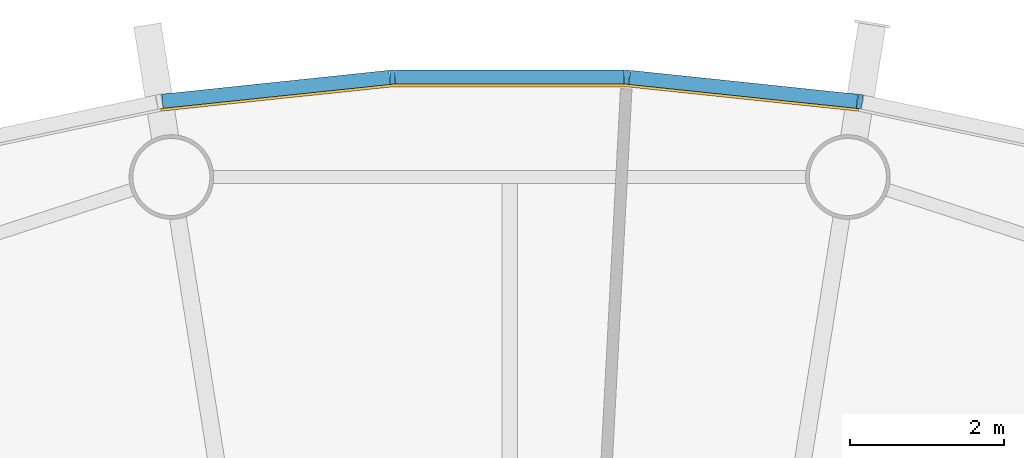
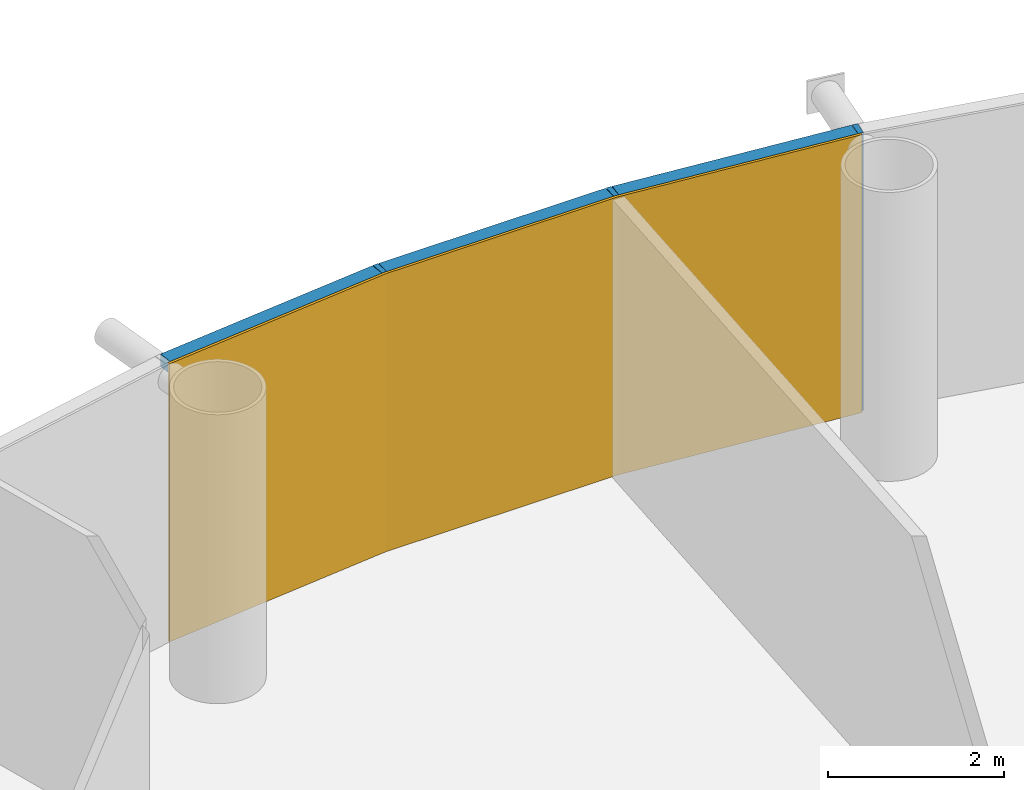
# One storey, part 15 of 17: 6 members, 1 curtain wall.
"""IFC4 building model written with IfcOpenShell, lengths in metres."""

from ifc_helpers import new_model, si_unit, direction, frame, origin, origin_2d, place, context, subcontext, project, spatial, polyline, rectangle, outline, extrude, material, layer, layer_set, material_profile, profile_set, type_object, element, aggregate, save


model = new_model("IFC4")

# Units and contexts
model_context = context("Model", 3, precision=1e-05, world=origin(), true_north=direction((0.0, 1.0)))
body_context = subcontext(model_context, "Body", "Model", "MODEL_VIEW")
ifc_project = project(units=[si_unit("LENGTHUNIT", "METRE"), si_unit("AREAUNIT", "SQUARE_METRE"), si_unit("VOLUMEUNIT", "CUBIC_METRE"), si_unit("PLANEANGLEUNIT", "RADIAN"), si_unit("MASSUNIT", "GRAM", prefix="KILO")], contexts=[model_context])

# Member
ifc_material_1 = material(Name="Anodised aluminium", Category="aluminium")
ifc_material_profile_1 = material_profile(ifc_material_1, rectangle(XDim=0.06494140625, YDim=0.18505859375, at=origin_2d()), Name="Mullion 65 x 185 mm anodised aluminium")
ifc_profile_set_1 = profile_set([ifc_material_profile_1], Name="Anodised aluminium")
member_type_1 = type_object("IfcMemberType", Name="Mullion 65 x 185 mm anodised aluminium", PredefinedType="MULLION", material=ifc_profile_set_1)
site_placement = place(None, origin())
building_placement = place(site_placement, origin())
storey_placement = place(building_placement, frame((0.0, 0.0, 160.0)))
member_1_placement = place(storey_placement, frame((94.551025390625, 108.734375, 0.0), z_axis=(0.0, 0.0, 1.0), x_axis=(-0.987688340595, 0.15643446504, 0.0)))
member_1 = element("IfcMember", 1, at=member_1_placement, type_object=member_type_1, Name="MULLION L36-12", PredefinedType="MULLION", context=body_context, shape_type="SweptSolid", body=[
    extrude(rectangle(XDim=0.06494140625, YDim=0.18505859375, at=origin_2d()), origin(), (0.0, 0.0, 1.0), 3.85009765625),
])

member_2_placement = place(storey_placement, frame((91.522705078125, 109.052734375, 0.0), z_axis=(0.0, 0.0, 1.0), x_axis=(-0.998629534755, 0.052335956243, 0.0)))
member_2 = element("IfcMember", 2, at=member_2_placement, type_object=member_type_1, Name="MULLION L36-13", PredefinedType="MULLION", context=body_context, shape_type="SweptSolid", body=[
    extrude(rectangle(XDim=0.06494140625, YDim=0.18505859375, at=origin_2d()), origin(), (0.0, 0.0, 1.0), 3.85009765625),
])

member_3_placement = place(storey_placement, frame((88.477294921875, 109.052734375, 0.0), z_axis=(0.0, 0.0, 1.0), x_axis=(-0.998629534755, -0.052335956243, 0.0)))
member_3 = element("IfcMember", 3, at=member_3_placement, type_object=member_type_1, Name="MULLION L36-14", PredefinedType="MULLION", context=body_context, shape_type="SweptSolid", body=[
    extrude(rectangle(XDim=0.06494140625, YDim=0.18505859375, at=origin_2d()), origin(), (0.0, 0.0, 1.0), 3.85009765625),
])

ifc_material_2 = material(Name="Anodised aluminium", Category="aluminium")
ifc_material_profile_2 = material_profile(ifc_material_2, rectangle(XDim=0.18505859375, YDim=0.175048828125, at=origin_2d()), Name="Transom 175 x 185 mm anodised aluminium")
ifc_profile_set_2 = profile_set([ifc_material_profile_2], Name="Anodised aluminium")
member_type_2 = type_object("IfcMemberType", Name="Transom 175 x 185 mm anodised aluminium", PredefinedType="USERDEFINED", material=ifc_profile_set_2)
member_4_placement = place(storey_placement, frame((94.513916015625, 108.73828125, 3.762451171875), z_axis=(-0.994519855197, 0.104547872381, 0.0), x_axis=(-0.104547872381, -0.994519855197, 0.0)))
member_4 = element("IfcMember", 4, at=member_4_placement, type_object=member_type_2, Name="TRANSOM L36-12", ObjectType="TRANSOM", PredefinedType="USERDEFINED", context=body_context, shape_type="SweptSolid", body=[
    extrude(rectangle(XDim=0.18505859375, YDim=0.175048828125, at=origin_2d()), origin(), (0.0, 0.0, 1.0), 2.970458984375),
])

member_5_placement = place(storey_placement, frame((91.4853515625, 109.052734375, 3.762451171875), z_axis=(-1.0, 0.0, 0.0), x_axis=(0.0, -1.0, 0.0)))
member_5 = element("IfcMember", 5, at=member_5_placement, type_object=member_type_2, Name="TRANSOM L36-13", ObjectType="TRANSOM", PredefinedType="USERDEFINED", context=body_context, shape_type="SweptSolid", body=[
    extrude(rectangle(XDim=0.18505859375, YDim=0.175048828125, at=origin_2d()), origin(), (0.0, 0.0, 1.0), 2.970703125),
])

member_6_placement = place(storey_placement, frame((88.440185546875, 109.048828125, 3.762451171875), z_axis=(-0.994519855197, -0.104547872381, 0.0), x_axis=(0.104547872381, -0.994519855197, 0.0)))
member_6 = element("IfcMember", 6, at=member_6_placement, type_object=member_type_2, Name="TRANSOM L36-14", ObjectType="TRANSOM", PredefinedType="USERDEFINED", context=body_context, shape_type="SweptSolid", body=[
    extrude(rectangle(XDim=0.18505859375, YDim=0.175048828125, at=origin_2d()), origin(), (0.0, 0.0, 1.0), 2.970458984375),
])

# Site, building, storey
site = spatial("IfcSite", under=ifc_project, at=site_placement, CompositionType="ELEMENT")
building = spatial("IfcBuilding", under=site, at=building_placement, Name="Entoto Ring Tower", CompositionType="ELEMENT")
storey = spatial("IfcBuildingStorey", under=building, at=storey_placement, Name="L36", CompositionType="ELEMENT", Elevation=160.0)

# Curtain wall
ifc_material_3 = material(Name="Clear low-iron glass", Category="glass")
ifc_layer = layer(ifc_material_3, 0.033935546875)
ifc_layer_set = layer_set([ifc_layer], Name="Clear low-iron glass")
curtain_wall_type = type_object("IfcCurtainWallType", Name="Curtain wall system CW3 glazing 34 mm", PredefinedType="NOTDEFINED", material=ifc_layer_set)
curtain_wall_placement = place(storey_placement, origin())
curtain_wall = element("IfcCurtainWall", 7, at=curtain_wall_placement, inside=storey, type_object=curtain_wall_type, Name="CW3 L36-05", PredefinedType="NOTDEFINED", context=body_context, shape_type="SweptSolid", body=[
    extrude(outline(polyline([(94.53662109375, 108.64306640625), (91.517822265625, 108.960205078125), (88.482177734375, 108.960205078125), (85.46337890625, 108.64306640625), (85.46875, 108.609375), (88.484130859375, 108.92626953125), (91.515869140625, 108.92626953125), (94.53125, 108.609375), (94.53662109375, 108.64306640625)])), origin(), (0.0, 0.0, 1.0), 3.85009765625),
])

aggregate(curtain_wall, [member_1, member_2, member_3, member_4, member_5, member_6])

save(model, "model.ifc")
